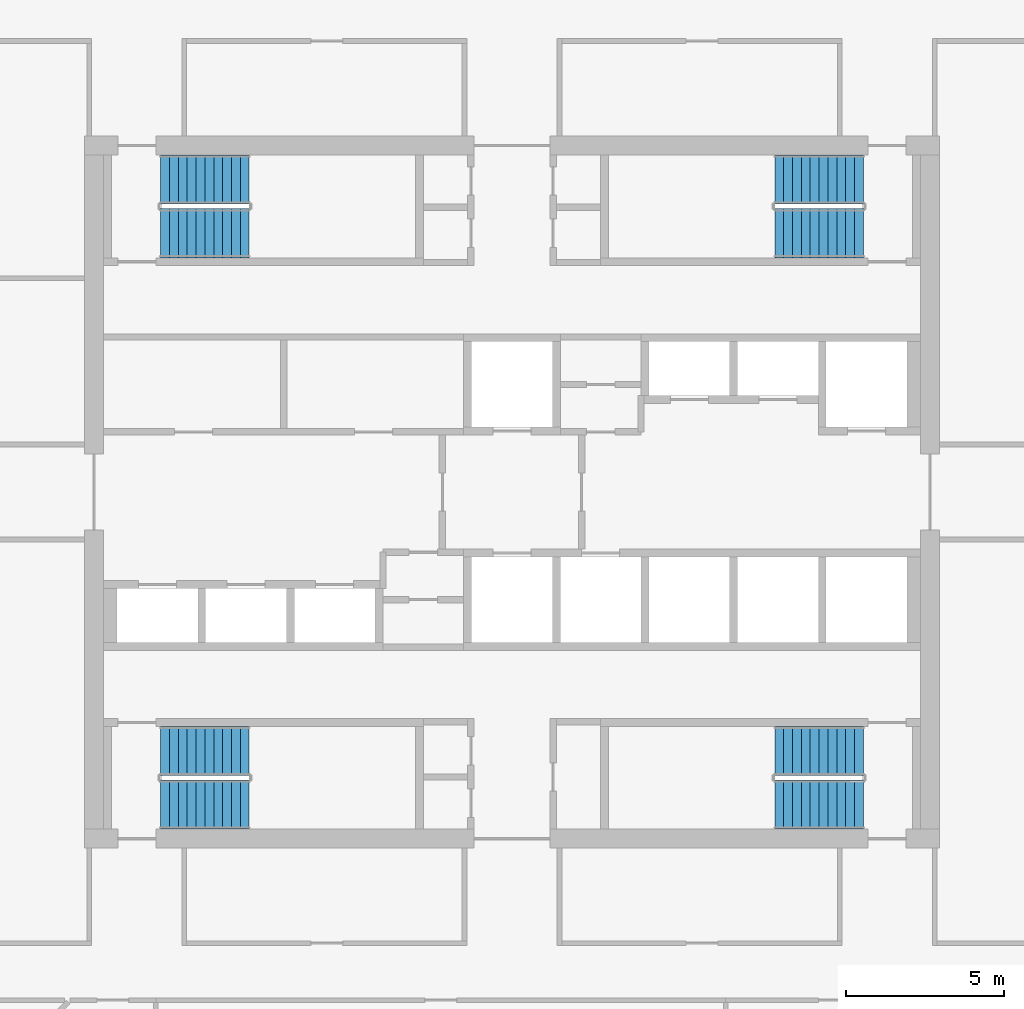
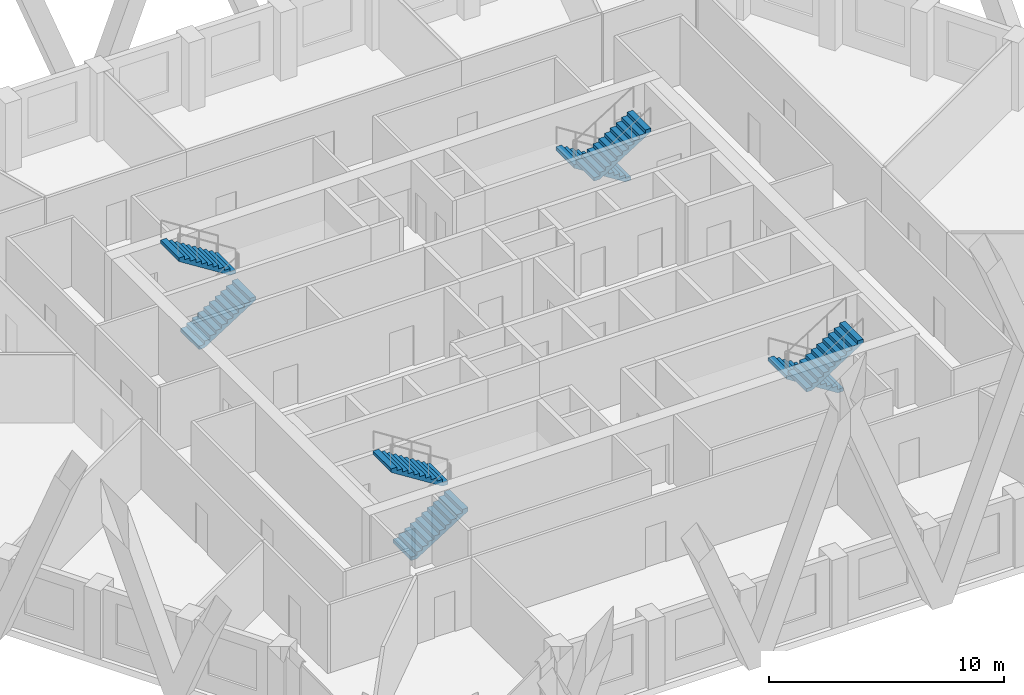
# One storey, part 8 of 16: 8 stair flights, 4 elements without a shape of their own.
"""IFC4 building model written with IfcOpenShell, lengths in metres."""

import ifcopenshell
import ifcopenshell.guid

model = None  # the IFC model being written
_history = None  # IfcOwnerHistory: only IFC2X3 demands one
_inside = {}  # id of a spatial element -> (the spatial element, [elements in it])
_under = {}  # id of a project, library or spatial element -> (it, [spatial elements below it])
_declared = {}  # id of a project -> (the project, [libraries it declares])
_typed = {}  # id of a type object -> (the type object, [elements of that type])
_made_of = {}  # id of a material, layer set ... -> (it, [elements and type objects made of it])


def new_model(schema):
    """Start an empty IFC model of exactly this schema.

    Asked for "IFC4X3", IfcOpenShell would pick the latest addendum, in which some entities
    have other attributes; the version numbers below select the first issue.
    IFC2X3 requires an IfcOwnerHistory on every rooted entity: one is made here for all.
    """
    global model, _history
    if schema == "IFC4X3":
        model = ifcopenshell.file(schema_version=(4, 3, 0, 0))
    else:
        model = ifcopenshell.file(schema=schema)
    _inside.clear()
    _under.clear()
    _declared.clear()
    _typed.clear()
    _made_of.clear()
    _history = None
    if model.schema == "IFC2X3":
        org = make("IfcOrganization", Name="unknown")
        user = make(
            "IfcPersonAndOrganization",
            ThePerson=make("IfcPerson", FamilyName="unknown"),
            TheOrganization=org,
        )
        app = make(
            "IfcApplication",
            ApplicationDeveloper=org,
            Version="unknown",
            ApplicationFullName="unknown",
            ApplicationIdentifier="unknown",
        )
        _history = make(
            "IfcOwnerHistory",
            OwningUser=user,
            OwningApplication=app,
            ChangeAction="ADDED",
            CreationDate=0,
        )
    return model


def make(cls, **values):
    """One entity of the class cls with the attributes given. An attribute that is None is left unset."""
    return model.create_entity(
        cls, **{name: value for name, value in values.items() if value is not None}
    )


def rooted(cls, **values):
    """An entity with a GlobalId (a new one), such as an element, a storey or a relation."""
    return make(cls, GlobalId=ifcopenshell.guid.new(), OwnerHistory=_history, **values)


def si_unit(unit_type, name, prefix=None):
    """IfcSIUnit, for example si_unit("LENGTHUNIT", "METRE", prefix="MILLI")."""
    return make("IfcSIUnit", UnitType=unit_type, Prefix=prefix, Name=name)


def assignment(units):
    """IfcUnitAssignment: the units of a project."""
    return None if units is None else make("IfcUnitAssignment", Units=units)


def point(xyz):
    """IfcCartesianPoint."""
    return None if xyz is None else make("IfcCartesianPoint", Coordinates=xyz)


def direction(xyz):
    """IfcDirection."""
    return None if xyz is None else make("IfcDirection", DirectionRatios=xyz)


def frame(location, z_axis=None, x_axis=None):
    """IfcAxis2Placement3D, a coordinate frame: its origin and axes. An axis left out is left unset."""
    return make(
        "IfcAxis2Placement3D",
        Location=point(location),
        Axis=direction(z_axis),
        RefDirection=direction(x_axis),
    )


def origin():
    """The frame at (0, 0, 0) with its axes left unset."""
    return frame((0.0, 0.0, 0.0))


def place(relative_to, where):
    """IfcLocalPlacement: puts the frame where relative to a parent placement (None: the world)."""
    return make(
        "IfcLocalPlacement", PlacementRelTo=relative_to, RelativePlacement=where
    )


def context(
    kind, dimensions, precision=None, world=None, true_north=None, identifier=None
):
    """IfcGeometricRepresentationContext, for example the 3D "Model" context."""
    return make(
        "IfcGeometricRepresentationContext",
        ContextIdentifier=identifier,
        ContextType=kind,
        CoordinateSpaceDimension=dimensions,
        Precision=precision,
        WorldCoordinateSystem=world,
        TrueNorth=true_north,
    )


def subcontext(parent, identifier, kind, view, scale=None):
    """IfcGeometricRepresentationSubContext, for example "Body" below "Model"."""
    return make(
        "IfcGeometricRepresentationSubContext",
        ContextIdentifier=identifier,
        ContextType=kind,
        ParentContext=parent,
        TargetScale=scale,
        TargetView=view,
    )


def project(units=None, contexts=None):
    """IfcProject with its units and contexts."""
    return rooted(
        "IfcProject",
        Name="project",
        RepresentationContexts=contexts,
        UnitsInContext=assignment(units),
    )


def spatial(cls, under=None, at=None, **own):
    """A site, building, storey or space (cls), placed at a placement, below another one or the project."""
    s = rooted(cls, ObjectPlacement=at, **own)
    if under is not None:
        _under.setdefault(under.id(), (under, []))[1].append(s)
    return s


def polyline(points):
    """IfcPolyline through the points."""
    return make("IfcPolyline", Points=[point(p) for p in points])


def outline(outer, holes=None, kind="AREA"):
    """IfcArbitraryClosedProfileDef: a profile drawn as a closed curve; with holes, ...WithVoids."""
    if holes is None:
        return make("IfcArbitraryClosedProfileDef", ProfileType=kind, OuterCurve=outer)
    return make(
        "IfcArbitraryProfileDefWithVoids",
        ProfileType=kind,
        OuterCurve=outer,
        InnerCurves=holes,
    )


def extrude(swept, where, along, depth):
    """IfcExtrudedAreaSolid: the profile swept, set in the frame where, extruded along a direction by depth."""
    return make(
        "IfcExtrudedAreaSolid",
        SweptArea=swept,
        Position=where,
        ExtrudedDirection=direction(along),
        Depth=depth,
    )


def shape(context_of_items, identifier, shape_type, items):
    """IfcShapeRepresentation: the items that make up one representation, for example the "Body"."""
    return make(
        "IfcShapeRepresentation",
        ContextOfItems=context_of_items,
        RepresentationIdentifier=identifier,
        RepresentationType=shape_type,
        Items=items,
    )


def material(Name=None, Category=None):
    """IfcMaterial."""
    return make("IfcMaterial", Name=Name, Category=Category)


def made_of(thing, what):
    """Note that an element or type object is made of a material, layer set ...; save() writes the relation."""
    if what is not None:
        _made_of.setdefault(what.id(), (what, []))[1].append(thing)
    return thing


def type_object(cls, material=None, **own):
    """A type object (cls), such as IfcWallType, which elements share."""
    return made_of(rooted(cls, **own), material)


def element(
    cls,
    number,
    at=None,
    inside=None,
    cuts=None,
    type_object=None,
    material=None,
    context=None,
    identifier="Body",
    shape_type=None,
    held_by="IfcProductDefinitionShape",
    body=None,
    shapes=None,
    **own,
):
    """One element of the class cls, such as IfcWall. Its Tag is "e" and its number.

    at: its placement. inside: the storey or other place that contains it. cuts: it is an
    opening in that element (IfcRelVoidsElement). A single representation is given by context,
    identifier, shape_type and body (its items); several are given by shapes. held_by: the class
    of the entity that holds the representations. save() writes the other relations.
    """
    e = rooted(cls, Tag="e%d" % number, ObjectPlacement=at, **own)
    if body is not None:
        shapes = [shape(context, identifier, shape_type, body)]
    if shapes is not None:
        e.Representation = make(held_by, Representations=shapes)
    if inside is not None:
        _inside.setdefault(inside.id(), (inside, []))[1].append(e)
    if cuts is not None:
        rooted(
            "IfcRelVoidsElement", RelatingBuildingElement=cuts, RelatedOpeningElement=e
        )
    if type_object is not None:
        _typed.setdefault(type_object.id(), (type_object, []))[1].append(e)
    return made_of(e, material)


def aggregate(whole, parts):
    """IfcRelAggregates: a whole, such as a stair, and the parts it consists of."""
    return rooted("IfcRelAggregates", RelatingObject=whole, RelatedObjects=parts)


def save(model, path):
    """Write the relations noted so far, then the file.

    IfcRelAggregates (storeys below a building ...), IfcRelContainedInSpatialStructure (elements
    in a storey), IfcRelDefinesByType, IfcRelAssociatesMaterial and IfcRelDeclares: one each for
    every whole, place, type object, material and project.
    """
    for whole, parts in _under.values():
        aggregate(whole, parts)
    for where, things in _inside.values():
        rooted(
            "IfcRelContainedInSpatialStructure",
            RelatedElements=things,
            RelatingStructure=where,
        )
    for kind, things in _typed.values():
        rooted("IfcRelDefinesByType", RelatedObjects=things, RelatingType=kind)
    for what, things in _made_of.values():
        rooted("IfcRelAssociatesMaterial", RelatedObjects=things, RelatingMaterial=what)
    for by, libraries in _declared.values():
        rooted("IfcRelDeclares", RelatingContext=by, RelatedDefinitions=libraries)
    model.write(path)


model = new_model("IFC4")

# Units and contexts
model_context = context("Model", 3, precision=1e-05, world=origin(), true_north=direction((0.0, 1.0)))
body_context = subcontext(model_context, "Body", "Model", "MODEL_VIEW")
ifc_project = project(units=[si_unit("LENGTHUNIT", "METRE"), si_unit("AREAUNIT", "SQUARE_METRE"), si_unit("VOLUMEUNIT", "CUBIC_METRE"), si_unit("PLANEANGLEUNIT", "RADIAN"), si_unit("MASSUNIT", "GRAM", prefix="KILO")], contexts=[model_context])

# Site, building, storey
site_placement = place(None, origin())
site = spatial("IfcSite", under=ifc_project, at=site_placement, CompositionType="ELEMENT")
building_placement = place(site_placement, origin())
building = spatial("IfcBuilding", under=site, at=building_placement, Name="Dhurran Vertical Campus", CompositionType="ELEMENT")
storey_placement = place(building_placement, frame((0.0, 0.0, 183.89990234375)))
storey = spatial("IfcBuildingStorey", under=building, at=storey_placement, Name="L45", CompositionType="ELEMENT", Elevation=183.89990234375)

# Stair, stair flights
ifc_material_1 = material(Name="Concrete C40/50", Category="concrete")
stair_type = type_object("IfcStairType", Name="co-ST-CORE", PredefinedType="HALF_TURN_STAIR", material=ifc_material_1)
stair_1_placement = place(storey_placement, origin())
stair_1 = element("IfcStair", 1, at=stair_1_placement, inside=storey, type_object=stair_type, Name="L45 Protected exit stair ST1", PredefinedType="HALF_TURN_STAIR")
ifc_material_2 = material(Name="Concrete C40/50", Category="concrete")
stair_flight_type = type_object("IfcStairFlightType", Name="co-SFL-RC", PredefinedType="STRAIGHT", material=ifc_material_2)
stair_flight_1_placement = place(storey_placement, frame((-11.10009765625, 8.175048828125, 0.0), z_axis=(0.0, 0.0, 1.0), x_axis=(1.0, 0.0, 0.0)))
stair_flight_1 = element("IfcStairFlight", 2, at=stair_flight_1_placement, type_object=stair_flight_type, Name="ST1 flight 1", NumberOfRisers=11, NumberOfTreads=10, PredefinedType="STRAIGHT", RiserHeight=0.177272727, TreadLength=0.28, context=body_context, shape_type="SweptSolid", body=[
    extrude(outline(polyline([(0.0, 0.0), (0.0, 0.17724609375), (0.280029296875, 0.17724609375), (0.280029296875, 0.3544921875), (0.56005859375, 0.3544921875), (0.56005859375, 0.53173828125), (0.840087890625, 0.53173828125), (0.840087890625, 0.708984375), (1.1201171875, 0.708984375), (1.1201171875, 0.886474609375), (1.39990234375, 0.886474609375), (1.39990234375, 1.063720703125), (1.679931640625, 1.063720703125), (1.679931640625, 1.240966796875), (1.9599609375, 1.240966796875), (1.9599609375, 1.418212890625), (2.239990234375, 1.418212890625), (2.239990234375, 1.595458984375), (2.52001953125, 1.595458984375), (2.52001953125, 1.772705078125), (2.800048828125, 1.772705078125), (2.800048828125, 1.949951171875), (2.800048828125, 1.59521484375), (0.2802734375, 0.0), (0.0, 0.0)])), frame((0.0, 0.77490234375, 0.0), z_axis=(0.0, -1.0, 0.0), x_axis=(1.0, 0.0, 0.0)), (0.0, 0.0, 1.0), 1.550048828125),
])
stair_flight_2_placement = place(storey_placement, frame((-8.300048828125, 9.875, 1.9501953125), z_axis=(0.0, 0.0, 1.0), x_axis=(-1.0, 0.0, 0.0)))
stair_flight_2 = element("IfcStairFlight", 3, at=stair_flight_2_placement, type_object=stair_flight_type, Name="ST1 flight 2", NumberOfRisers=11, NumberOfTreads=10, PredefinedType="STRAIGHT", RiserHeight=0.177272727, TreadLength=0.28, context=body_context, shape_type="SweptSolid", body=[
    extrude(outline(polyline([(0.0, 0.0), (0.0, 0.17724609375), (0.280029296875, 0.17724609375), (0.280029296875, 0.3544921875), (0.56005859375, 0.3544921875), (0.56005859375, 0.53173828125), (0.840087890625, 0.53173828125), (0.840087890625, 0.708984375), (1.1201171875, 0.708984375), (1.1201171875, 0.886474609375), (1.39990234375, 0.886474609375), (1.39990234375, 1.063720703125), (1.679931640625, 1.063720703125), (1.679931640625, 1.240966796875), (1.9599609375, 1.240966796875), (1.9599609375, 1.418212890625), (2.239990234375, 1.418212890625), (2.239990234375, 1.595458984375), (2.52001953125, 1.595458984375), (2.52001953125, 1.772705078125), (2.800048828125, 1.772705078125), (2.800048828125, 1.949951171875), (2.800048828125, 1.59521484375), (0.2802734375, 0.0), (0.0, 0.0)])), frame((0.0, 0.77490234375, 0.0), z_axis=(0.0, -1.0, 0.0), x_axis=(1.0, 0.0, 0.0)), (0.0, 0.0, 1.0), 1.550048828125),
])
aggregate(stair_1, [stair_flight_1, stair_flight_2])

stair_2_placement = place(storey_placement, origin())
stair_2 = element("IfcStair", 4, at=stair_2_placement, inside=storey, type_object=stair_type, Name="L45 Protected exit stair ST2", PredefinedType="HALF_TURN_STAIR")
stair_flight_3_placement = place(storey_placement, frame((11.10009765625, 9.875, 0.0), z_axis=(0.0, 0.0, 1.0), x_axis=(-1.0, 0.0, 0.0)))
stair_flight_3 = element("IfcStairFlight", 5, at=stair_flight_3_placement, type_object=stair_flight_type, Name="ST2 flight 1", NumberOfRisers=11, NumberOfTreads=10, PredefinedType="STRAIGHT", RiserHeight=0.177272727, TreadLength=0.28, context=body_context, shape_type="SweptSolid", body=[
    extrude(outline(polyline([(0.0, 0.0), (0.0, 0.17724609375), (0.280029296875, 0.17724609375), (0.280029296875, 0.3544921875), (0.56005859375, 0.3544921875), (0.56005859375, 0.53173828125), (0.840087890625, 0.53173828125), (0.840087890625, 0.708984375), (1.1201171875, 0.708984375), (1.1201171875, 0.886474609375), (1.39990234375, 0.886474609375), (1.39990234375, 1.063720703125), (1.679931640625, 1.063720703125), (1.679931640625, 1.240966796875), (1.9599609375, 1.240966796875), (1.9599609375, 1.418212890625), (2.239990234375, 1.418212890625), (2.239990234375, 1.595458984375), (2.52001953125, 1.595458984375), (2.52001953125, 1.772705078125), (2.800048828125, 1.772705078125), (2.800048828125, 1.949951171875), (2.800048828125, 1.59521484375), (0.2802734375, 0.0), (0.0, 0.0)])), frame((0.0, 0.77490234375, 0.0), z_axis=(0.0, -1.0, 0.0), x_axis=(1.0, 0.0, 0.0)), (0.0, 0.0, 1.0), 1.550048828125),
])
stair_flight_4_placement = place(storey_placement, frame((8.300048828125, 8.175048828125, 1.9501953125), z_axis=(0.0, 0.0, 1.0), x_axis=(1.0, 0.0, 0.0)))
stair_flight_4 = element("IfcStairFlight", 6, at=stair_flight_4_placement, type_object=stair_flight_type, Name="ST2 flight 2", NumberOfRisers=11, NumberOfTreads=10, PredefinedType="STRAIGHT", RiserHeight=0.177272727, TreadLength=0.28, context=body_context, shape_type="SweptSolid", body=[
    extrude(outline(polyline([(0.0, 0.0), (0.0, 0.17724609375), (0.280029296875, 0.17724609375), (0.280029296875, 0.3544921875), (0.56005859375, 0.3544921875), (0.56005859375, 0.53173828125), (0.840087890625, 0.53173828125), (0.840087890625, 0.708984375), (1.1201171875, 0.708984375), (1.1201171875, 0.886474609375), (1.39990234375, 0.886474609375), (1.39990234375, 1.063720703125), (1.679931640625, 1.063720703125), (1.679931640625, 1.240966796875), (1.9599609375, 1.240966796875), (1.9599609375, 1.418212890625), (2.239990234375, 1.418212890625), (2.239990234375, 1.595458984375), (2.52001953125, 1.595458984375), (2.52001953125, 1.772705078125), (2.800048828125, 1.772705078125), (2.800048828125, 1.949951171875), (2.800048828125, 1.59521484375), (0.2802734375, 0.0), (0.0, 0.0)])), frame((0.0, 0.77490234375, 0.0), z_axis=(0.0, -1.0, 0.0), x_axis=(1.0, 0.0, 0.0)), (0.0, 0.0, 1.0), 1.550048828125),
])
aggregate(stair_2, [stair_flight_3, stair_flight_4])

stair_3_placement = place(storey_placement, origin())
stair_3 = element("IfcStair", 7, at=stair_3_placement, inside=storey, type_object=stair_type, Name="L45 Protected exit stair ST3", PredefinedType="HALF_TURN_STAIR")
stair_flight_5_placement = place(storey_placement, frame((-11.10009765625, -9.875, 0.0), z_axis=(0.0, 0.0, 1.0), x_axis=(1.0, 0.0, 0.0)))
stair_flight_5 = element("IfcStairFlight", 8, at=stair_flight_5_placement, type_object=stair_flight_type, Name="ST3 flight 1", NumberOfRisers=11, NumberOfTreads=10, PredefinedType="STRAIGHT", RiserHeight=0.177272727, TreadLength=0.28, context=body_context, shape_type="SweptSolid", body=[
    extrude(outline(polyline([(0.0, 0.0), (0.0, 0.17724609375), (0.280029296875, 0.17724609375), (0.280029296875, 0.3544921875), (0.56005859375, 0.3544921875), (0.56005859375, 0.53173828125), (0.840087890625, 0.53173828125), (0.840087890625, 0.708984375), (1.1201171875, 0.708984375), (1.1201171875, 0.886474609375), (1.39990234375, 0.886474609375), (1.39990234375, 1.063720703125), (1.679931640625, 1.063720703125), (1.679931640625, 1.240966796875), (1.9599609375, 1.240966796875), (1.9599609375, 1.418212890625), (2.239990234375, 1.418212890625), (2.239990234375, 1.595458984375), (2.52001953125, 1.595458984375), (2.52001953125, 1.772705078125), (2.800048828125, 1.772705078125), (2.800048828125, 1.949951171875), (2.800048828125, 1.59521484375), (0.2802734375, 0.0), (0.0, 0.0)])), frame((0.0, 0.77490234375, 0.0), z_axis=(0.0, -1.0, 0.0), x_axis=(1.0, 0.0, 0.0)), (0.0, 0.0, 1.0), 1.550048828125),
])
stair_flight_6_placement = place(storey_placement, frame((-8.300048828125, -8.175048828125, 1.9501953125), z_axis=(0.0, 0.0, 1.0), x_axis=(-1.0, 0.0, 0.0)))
stair_flight_6 = element("IfcStairFlight", 9, at=stair_flight_6_placement, type_object=stair_flight_type, Name="ST3 flight 2", NumberOfRisers=11, NumberOfTreads=10, PredefinedType="STRAIGHT", RiserHeight=0.177272727, TreadLength=0.28, context=body_context, shape_type="SweptSolid", body=[
    extrude(outline(polyline([(0.0, 0.0), (0.0, 0.17724609375), (0.280029296875, 0.17724609375), (0.280029296875, 0.3544921875), (0.56005859375, 0.3544921875), (0.56005859375, 0.53173828125), (0.840087890625, 0.53173828125), (0.840087890625, 0.708984375), (1.1201171875, 0.708984375), (1.1201171875, 0.886474609375), (1.39990234375, 0.886474609375), (1.39990234375, 1.063720703125), (1.679931640625, 1.063720703125), (1.679931640625, 1.240966796875), (1.9599609375, 1.240966796875), (1.9599609375, 1.418212890625), (2.239990234375, 1.418212890625), (2.239990234375, 1.595458984375), (2.52001953125, 1.595458984375), (2.52001953125, 1.772705078125), (2.800048828125, 1.772705078125), (2.800048828125, 1.949951171875), (2.800048828125, 1.59521484375), (0.2802734375, 0.0), (0.0, 0.0)])), frame((0.0, 0.77490234375, 0.0), z_axis=(0.0, -1.0, 0.0), x_axis=(1.0, 0.0, 0.0)), (0.0, 0.0, 1.0), 1.550048828125),
])
aggregate(stair_3, [stair_flight_5, stair_flight_6])

stair_4_placement = place(storey_placement, origin())
stair_4 = element("IfcStair", 10, at=stair_4_placement, inside=storey, type_object=stair_type, Name="L45 Protected exit stair ST4", PredefinedType="HALF_TURN_STAIR")
stair_flight_7_placement = place(storey_placement, frame((11.10009765625, -8.175048828125, 0.0), z_axis=(0.0, 0.0, 1.0), x_axis=(-1.0, 0.0, 0.0)))
stair_flight_7 = element("IfcStairFlight", 11, at=stair_flight_7_placement, type_object=stair_flight_type, Name="ST4 flight 1", NumberOfRisers=11, NumberOfTreads=10, PredefinedType="STRAIGHT", RiserHeight=0.177272727, TreadLength=0.28, context=body_context, shape_type="SweptSolid", body=[
    extrude(outline(polyline([(0.0, 0.0), (0.0, 0.17724609375), (0.280029296875, 0.17724609375), (0.280029296875, 0.3544921875), (0.56005859375, 0.3544921875), (0.56005859375, 0.53173828125), (0.840087890625, 0.53173828125), (0.840087890625, 0.708984375), (1.1201171875, 0.708984375), (1.1201171875, 0.886474609375), (1.39990234375, 0.886474609375), (1.39990234375, 1.063720703125), (1.679931640625, 1.063720703125), (1.679931640625, 1.240966796875), (1.9599609375, 1.240966796875), (1.9599609375, 1.418212890625), (2.239990234375, 1.418212890625), (2.239990234375, 1.595458984375), (2.52001953125, 1.595458984375), (2.52001953125, 1.772705078125), (2.800048828125, 1.772705078125), (2.800048828125, 1.949951171875), (2.800048828125, 1.59521484375), (0.2802734375, 0.0), (0.0, 0.0)])), frame((0.0, 0.77490234375, 0.0), z_axis=(0.0, -1.0, 0.0), x_axis=(1.0, 0.0, 0.0)), (0.0, 0.0, 1.0), 1.550048828125),
])
stair_flight_8_placement = place(storey_placement, frame((8.300048828125, -9.875, 1.9501953125), z_axis=(0.0, 0.0, 1.0), x_axis=(1.0, 0.0, 0.0)))
stair_flight_8 = element("IfcStairFlight", 12, at=stair_flight_8_placement, type_object=stair_flight_type, Name="ST4 flight 2", NumberOfRisers=11, NumberOfTreads=10, PredefinedType="STRAIGHT", RiserHeight=0.177272727, TreadLength=0.28, context=body_context, shape_type="SweptSolid", body=[
    extrude(outline(polyline([(0.0, 0.0), (0.0, 0.17724609375), (0.280029296875, 0.17724609375), (0.280029296875, 0.3544921875), (0.56005859375, 0.3544921875), (0.56005859375, 0.53173828125), (0.840087890625, 0.53173828125), (0.840087890625, 0.708984375), (1.1201171875, 0.708984375), (1.1201171875, 0.886474609375), (1.39990234375, 0.886474609375), (1.39990234375, 1.063720703125), (1.679931640625, 1.063720703125), (1.679931640625, 1.240966796875), (1.9599609375, 1.240966796875), (1.9599609375, 1.418212890625), (2.239990234375, 1.418212890625), (2.239990234375, 1.595458984375), (2.52001953125, 1.595458984375), (2.52001953125, 1.772705078125), (2.800048828125, 1.772705078125), (2.800048828125, 1.949951171875), (2.800048828125, 1.59521484375), (0.2802734375, 0.0), (0.0, 0.0)])), frame((0.0, 0.77490234375, 0.0), z_axis=(0.0, -1.0, 0.0), x_axis=(1.0, 0.0, 0.0)), (0.0, 0.0, 1.0), 1.550048828125),
])
aggregate(stair_4, [stair_flight_7, stair_flight_8])

save(model, "model.ifc")
